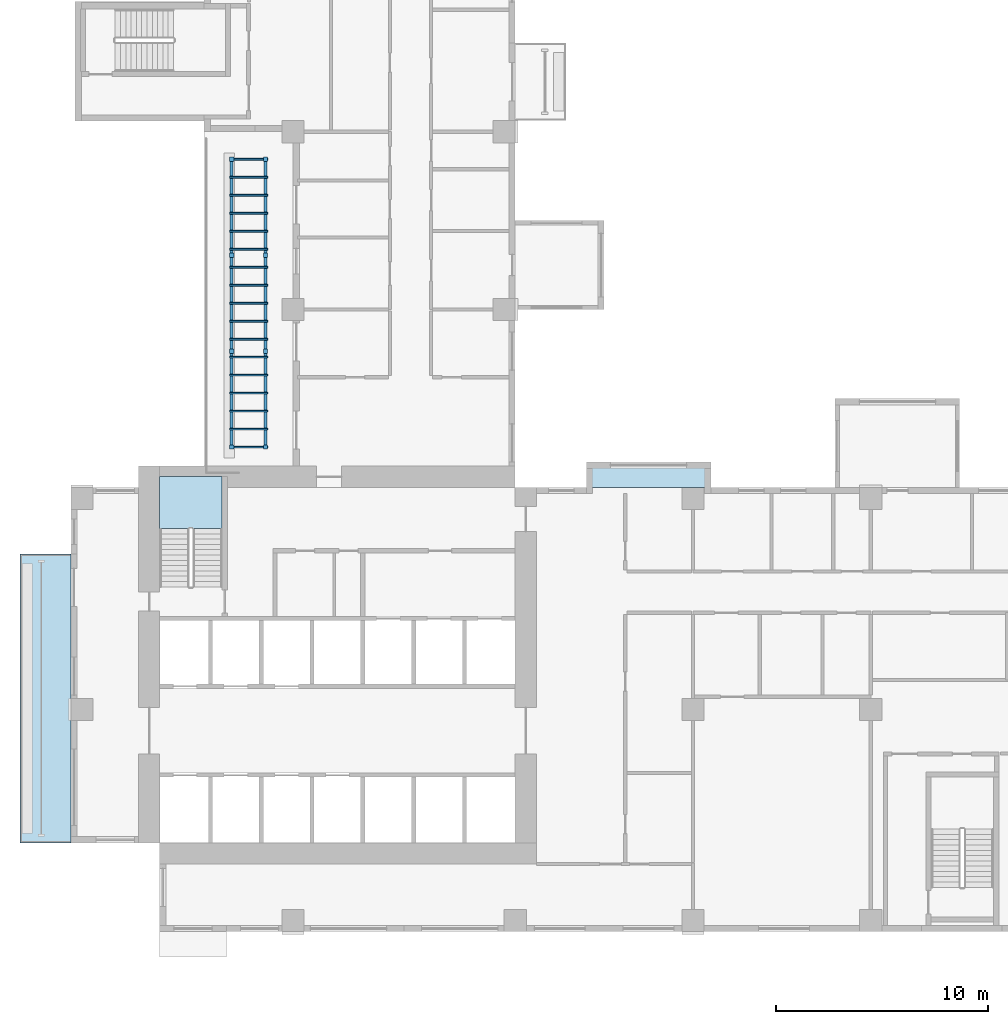
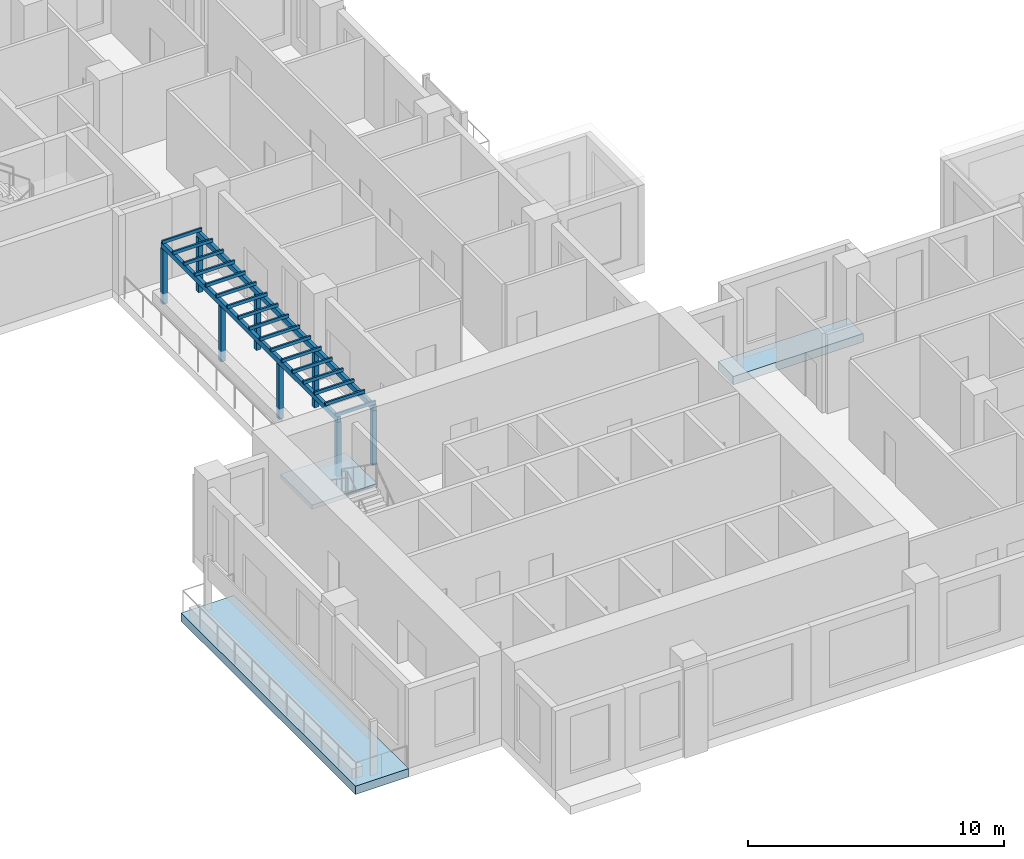
# One storey, part 2 of 16: 27 members, 3 slabs, 1 element without a shape of its own.
"""IFC4 building model written with IfcOpenShell, lengths in metres."""

from ifc_helpers import new_model, si_unit, direction, frame, origin, origin_2d, place, context, subcontext, project, spatial, polyline, rectangle, outline, extrude, source, transform, mapped, material, layer, layer_set, material_profile, profile_set, type_object, element, aggregate, save


model = new_model("IFC4")

# Units and contexts
model_context = context("Model", 3, precision=1e-05, world=origin(), true_north=direction((0.0, 1.0)))
body_context = subcontext(model_context, "Body", "Model", "MODEL_VIEW")
ifc_project = project(units=[si_unit("LENGTHUNIT", "METRE"), si_unit("AREAUNIT", "SQUARE_METRE"), si_unit("VOLUMEUNIT", "CUBIC_METRE"), si_unit("PLANEANGLEUNIT", "RADIAN"), si_unit("MASSUNIT", "GRAM", prefix="KILO")], contexts=[model_context])

# Site, building, storey
site_placement = place(None, origin())
site = spatial("IfcSite", under=ifc_project, at=site_placement, CompositionType="ELEMENT")
building_placement = place(site_placement, origin())
building = spatial("IfcBuilding", under=site, at=building_placement, Name="Aurelian Terraces", CompositionType="ELEMENT")
storey_placement = place(building_placement, frame((0.0, 0.0, 124.5)))
storey = spatial("IfcBuildingStorey", under=building, at=storey_placement, Name="L27", CompositionType="ELEMENT", Elevation=124.5)

# Members
ifc_material_1 = material(Name="Anodised aluminium", Category="aluminium")
ifc_material_profile_1 = material_profile(ifc_material_1, rectangle(XDim=0.08, YDim=0.15, at=origin_2d()))
ifc_profile_set_1 = profile_set([ifc_material_profile_1], Name="Anodised aluminium")
member_type_1 = type_object("IfcMemberType", Name="PERGOLA RAFTER 80X150", PredefinedType="RAFTER", material=ifc_profile_set_1)
member_placement = place(storey_placement, frame((7.5, 22.9, 2.925), z_axis=(1.0, 0.0, 0.0), x_axis=(0.0, 1.0, 0.0)))
element("IfcMember", 1, at=member_placement, inside=storey, type_object=member_type_1, Name="Pergola rafter L27 SKY-04-T1.1", PredefinedType="RAFTER", context=body_context, shape_type="SweptSolid", body=[
    extrude(rectangle(XDim=0.08, YDim=0.15, at=origin_2d()), origin(), (0.0, 0.0, 1.0), 1.8),
])
ifc_material_profile_2 = material_profile(ifc_material_1, rectangle(XDim=0.2, YDim=0.2, at=origin_2d()))
ifc_profile_set_2 = profile_set([ifc_material_profile_2], Name="Anodised aluminium")
member_type_2 = type_object("IfcMemberType", Name="PERGOLA POST 200X200", PredefinedType="POST", material=ifc_profile_set_2)
shared_shape_1 = source(origin(), body_context, "Body", "SweptSolid", [
    extrude(rectangle(XDim=0.2, YDim=0.2, at=origin_2d()), origin(), (0.0, 0.0, 1.0), 2.6),
])
for number, where, z_axis, x_axis, name in (
    (2, (7.6, 22.9, 0.0), (0.0, 0.0, 1.0), (1.0, 0.0, 0.0), "Pergola post L27 SKY-04-T1.1.1"),
    (3, (9.2, 22.9, 0.0), (0.0, 0.0, 1.0), (1.0, 0.0, 0.0), "Pergola post L27 SKY-04-T1.1.2"),
    (4, (7.6, 27.4333, 0.0), (0.0, 0.0, 1.0), (1.0, 0.0, 0.0), "Pergola post L27 SKY-04-T1.2.1"),
    (5, (9.2, 27.4333, 0.0), (0.0, 0.0, 1.0), (1.0, 0.0, 0.0), "Pergola post L27 SKY-04-T1.2.2"),
    (6, (7.6, 31.9667, 0.0), (0.0, 0.0, 1.0), (1.0, 0.0, 0.0), "Pergola post L27 SKY-04-T1.3.1"),
    (7, (9.2, 31.9667, 0.0), (0.0, 0.0, 1.0), (1.0, 0.0, 0.0), "Pergola post L27 SKY-04-T1.3.2"),
    (8, (7.6, 36.5, 0.0), (0.0, 0.0, 1.0), (1.0, 0.0, 0.0), "Pergola post L27 SKY-04-T1.4.1"),
    (9, (9.2, 36.5, 0.0), (0.0, 0.0, 1.0), (1.0, 0.0, 0.0), "Pergola post L27 SKY-04-T1.4.2"),
):
    element("IfcMember", number, at=place(storey_placement, frame(where, z_axis=z_axis, x_axis=x_axis)), inside=storey, type_object=member_type_2, Name=name, PredefinedType="POST", context=body_context, shape_type="MappedRepresentation", body=[
        mapped(shared_shape_1, transform((0.0, 0.0, 0.0), scale=1.0)),
    ])
ifc_material_profile_3 = material_profile(ifc_material_1, rectangle(XDim=0.15, YDim=0.25, at=origin_2d()))
ifc_profile_set_3 = profile_set([ifc_material_profile_3], Name="Anodised aluminium")
member_type_3 = type_object("IfcMemberType", Name="PERGOLA BEAM 150X250", PredefinedType="PURLIN", material=ifc_profile_set_3)
shared_shape_2 = source(origin(), body_context, "Body", "SweptSolid", [
    extrude(rectangle(XDim=0.15, YDim=0.25, at=origin_2d()), origin(), (0.0, 0.0, 1.0), 13.8),
])
for number, where, z_axis, x_axis, name in (
    (10, (7.6, 22.8, 2.725), (0.0, 1.0, 0.0), (-1.0, 0.0, 0.0), "Pergola beam L27 SKY-04-T1.1"),
    (11, (9.2, 22.8, 2.725), (0.0, 1.0, 0.0), (-1.0, 0.0, 0.0), "Pergola beam L27 SKY-04-T1.2"),
):
    element("IfcMember", number, at=place(storey_placement, frame(where, z_axis=z_axis, x_axis=x_axis)), inside=storey, type_object=member_type_3, Name=name, PredefinedType="PURLIN", context=body_context, shape_type="MappedRepresentation", body=[
        mapped(shared_shape_2, transform((0.0, 0.0, 0.0), scale=1.0)),
    ])
shared_shape_3 = source(origin(), body_context, "Body", "SweptSolid", [
    extrude(rectangle(XDim=0.08, YDim=0.15, at=origin_2d()), origin(), (0.0, 0.0, 1.0), 1.8),
])
for number, where, z_axis, x_axis, name in (
    (12, (7.5, 23.75, 2.925), (1.0, 0.0, 0.0), (0.0, 1.0, 0.0), "Pergola rafter L27 SKY-04-T1.2"),
    (13, (7.5, 24.6, 2.925), (1.0, 0.0, 0.0), (0.0, 1.0, 0.0), "Pergola rafter L27 SKY-04-T1.3"),
    (14, (7.5, 25.45, 2.925), (1.0, 0.0, 0.0), (0.0, 1.0, 0.0), "Pergola rafter L27 SKY-04-T1.4"),
    (15, (7.5, 26.3, 2.925), (1.0, 0.0, 0.0), (0.0, 1.0, 0.0), "Pergola rafter L27 SKY-04-T1.5"),
    (16, (7.5, 27.15, 2.925), (1.0, 0.0, 0.0), (0.0, 1.0, 0.0), "Pergola rafter L27 SKY-04-T1.6"),
    (17, (7.5, 28.0, 2.925), (1.0, 0.0, 0.0), (0.0, 1.0, 0.0), "Pergola rafter L27 SKY-04-T1.7"),
    (18, (7.5, 28.85, 2.925), (1.0, 0.0, 0.0), (0.0, 1.0, 0.0), "Pergola rafter L27 SKY-04-T1.8"),
    (19, (7.5, 29.7, 2.925), (1.0, 0.0, 0.0), (0.0, 1.0, 0.0), "Pergola rafter L27 SKY-04-T1.9"),
    (20, (7.5, 30.55, 2.925), (1.0, 0.0, 0.0), (0.0, 1.0, 0.0), "Pergola rafter L27 SKY-04-T1.10"),
    (21, (7.5, 31.4, 2.925), (1.0, 0.0, 0.0), (0.0, 1.0, 0.0), "Pergola rafter L27 SKY-04-T1.11"),
    (22, (7.5, 32.25, 2.925), (1.0, 0.0, 0.0), (0.0, 1.0, 0.0), "Pergola rafter L27 SKY-04-T1.12"),
    (23, (7.5, 33.1, 2.925), (1.0, 0.0, 0.0), (0.0, 1.0, 0.0), "Pergola rafter L27 SKY-04-T1.13"),
    (24, (7.5, 33.95, 2.925), (1.0, 0.0, 0.0), (0.0, 1.0, 0.0), "Pergola rafter L27 SKY-04-T1.14"),
    (25, (7.5, 34.8, 2.925), (1.0, 0.0, 0.0), (0.0, 1.0, 0.0), "Pergola rafter L27 SKY-04-T1.15"),
    (26, (7.5, 35.65, 2.925), (1.0, 0.0, 0.0), (0.0, 1.0, 0.0), "Pergola rafter L27 SKY-04-T1.16"),
    (27, (7.5, 36.5, 2.925), (1.0, 0.0, 0.0), (0.0, 1.0, 0.0), "Pergola rafter L27 SKY-04-T1.17"),
):
    element("IfcMember", number, at=place(storey_placement, frame(where, z_axis=z_axis, x_axis=x_axis)), inside=storey, type_object=member_type_1, Name=name, PredefinedType="RAFTER", context=body_context, shape_type="MappedRepresentation", body=[
        mapped(shared_shape_3, transform((0.0, 0.0, 0.0), scale=1.0)),
    ])

# Slabs
ifc_material_2 = material(Name="Concrete fc' 40 MPa", Category="concrete")
ifc_layer_1 = layer(ifc_material_2, 0.4)
ifc_layer_set_1 = layer_set([ifc_layer_1], Name="Balcony slab 400")
slab_type_1 = type_object("IfcSlabType", Name="Balcony slab 400", PredefinedType="NOTDEFINED", material=ifc_layer_set_1)
shared_shape_4 = source(origin(), body_context, "Body", "SweptSolid", [
    extrude(outline(polyline([(0.0, 17.85), (0.0, 4.2), (-2.4, 4.2), (-2.4, 17.85), (0.0, 17.85)])), origin(), (0.0, 0.0, 1.0), 0.4),
])
slab_1_placement = place(storey_placement, frame((0.0, 0.0, -0.4)))
element("IfcSlab", 28, at=slab_1_placement, inside=storey, type_object=slab_type_1, Name="Balcony slab L27 F22.44", PredefinedType="NOTDEFINED", context=body_context, shape_type="MappedRepresentation", body=[
    mapped(shared_shape_4, transform((0.0, 0.0, 0.0), scale=1.0)),
])
ifc_layer_2 = layer(ifc_material_2, 0.4)
ifc_layer_set_2 = layer_set([ifc_layer_2], Name="Bay floor 400")
slab_type_2 = type_object("IfcSlabType", Name="Bay floor 400", PredefinedType="NOTDEFINED", material=ifc_layer_set_2)
shared_shape_5 = source(origin(), body_context, "Body", "SweptSolid", [
    extrude(outline(polyline([(30.24, 21.0), (24.36, 21.0), (24.36, 22.2), (30.24, 22.2), (30.24, 21.0)])), origin(), (0.0, 0.0, 1.0), 0.4),
])
slab_2_placement = place(storey_placement, frame((0.0, 0.0, -0.4)))
element("IfcSlab", 29, at=slab_2_placement, inside=storey, type_object=slab_type_2, Name="Bay floor L27 F07.22", PredefinedType="NOTDEFINED", context=body_context, shape_type="MappedRepresentation", body=[
    mapped(shared_shape_5, transform((0.0, 0.0, 0.0), scale=1.0)),
])

# Stair, slab
stair_type = type_object("IfcStairType", Name="Stair 1400", PredefinedType="HALF_TURN_STAIR", material=ifc_material_2)
stair_placement = place(storey_placement, origin())
stair = element("IfcStair", 30, at=stair_placement, inside=storey, type_object=stair_type, Name="L27 S1", PredefinedType="HALF_TURN_STAIR")
ifc_layer_3 = layer(ifc_material_2, 0.2)
ifc_layer_set_3 = layer_set([ifc_layer_3], Name="Stair landing 200")
slab_type_3 = type_object("IfcSlabType", Name="Stair landing 200", PredefinedType="LANDING", material=ifc_layer_set_3)
shared_shape_6 = source(origin(), body_context, "Body", "SweptSolid", [
    extrude(outline(polyline([(7.15, 19.05), (7.15, 21.5), (4.2, 21.5), (4.2, 19.05), (7.15, 19.05)])), origin(), (0.0, 0.0, 1.0), 0.2),
])
slab_3_placement = place(storey_placement, frame((0.0, 0.0, 1.9)))
slab_3 = element("IfcSlab", 31, at=slab_3_placement, type_object=slab_type_3, Name="S1 landing 1", PredefinedType="LANDING", context=body_context, shape_type="MappedRepresentation", body=[
    mapped(shared_shape_6, transform((0.0, 0.0, 0.0), scale=1.0)),
])
aggregate(stair, [slab_3])

save(model, "model.ifc")
